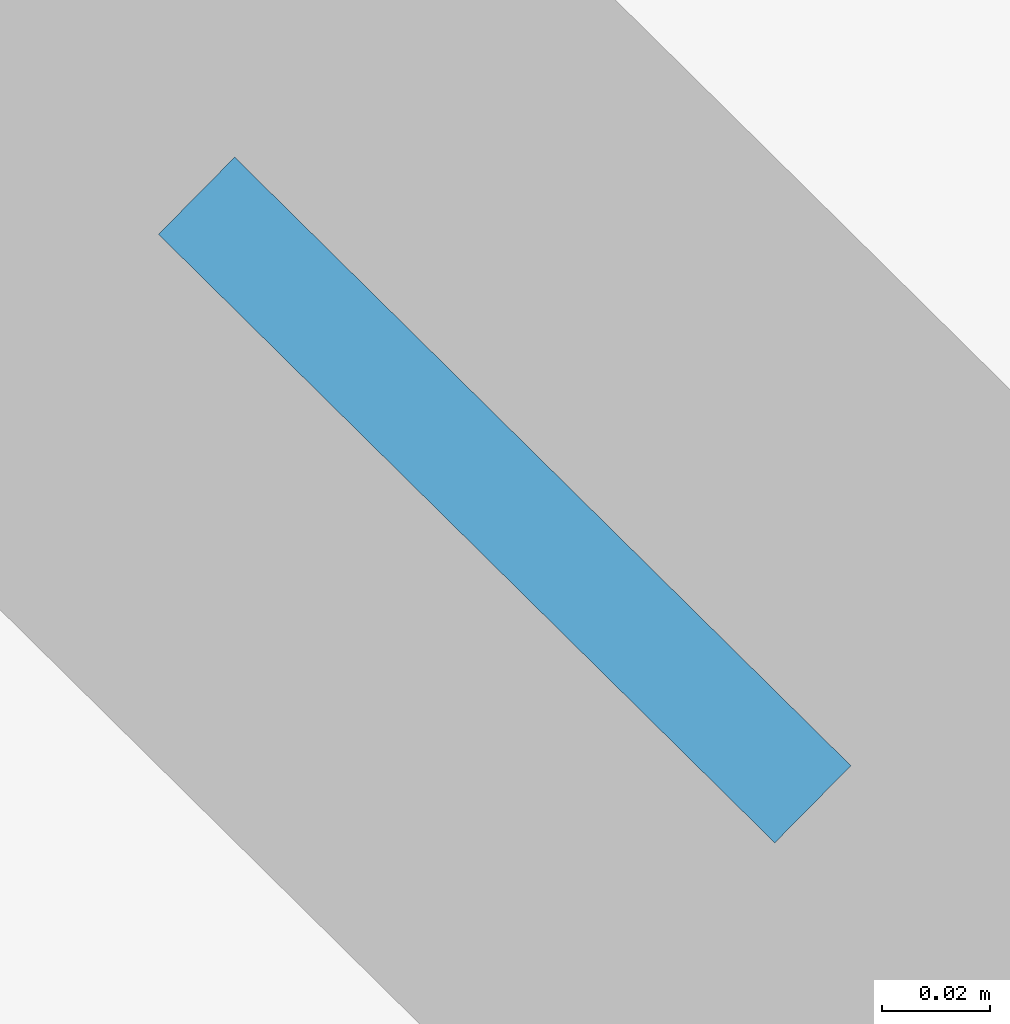
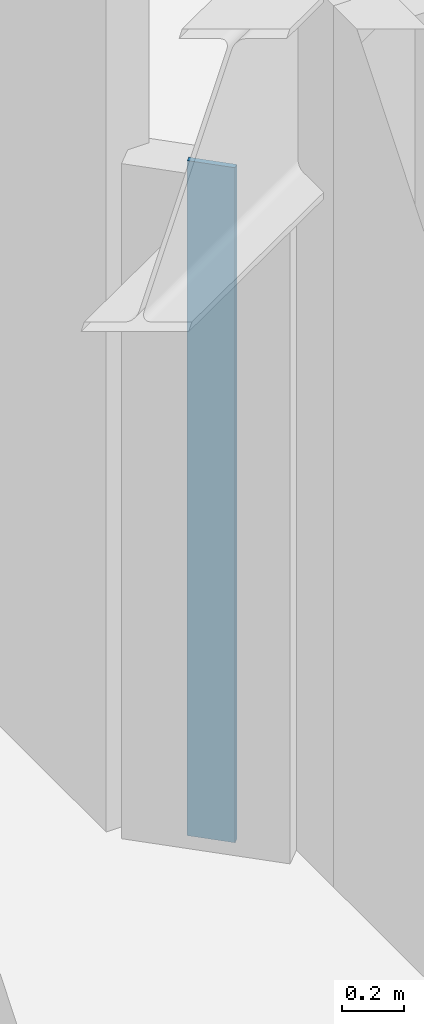
# One storey, part 4 of 10: 1 plate.
"""IFC4 building model written with IfcOpenShell, lengths in metres."""

from ifc_helpers import new_model, si_unit, direction, frame, origin, origin_2d, place, context, subcontext, project, spatial, rectangle, extrude, material, layer, layer_set, type_object, element, save


model = new_model("IFC4")

# Units and contexts
model_context = context("Model", 3, precision=1e-05, world=origin(), true_north=direction((0.0, 1.0)))
body_context = subcontext(model_context, "Body", "Model", "MODEL_VIEW")
ifc_project = project(units=[si_unit("LENGTHUNIT", "METRE"), si_unit("AREAUNIT", "SQUARE_METRE"), si_unit("VOLUMEUNIT", "CUBIC_METRE"), si_unit("PLANEANGLEUNIT", "RADIAN"), si_unit("MASSUNIT", "GRAM", prefix="KILO")], contexts=[model_context])

# Site, building, storey
site_placement = place(None, origin())
site = spatial("IfcSite", under=ifc_project, at=site_placement, CompositionType="ELEMENT")
building_placement = place(site_placement, origin())
building = spatial("IfcBuilding", under=site, at=building_placement, Name="Miruveldt Soraemaru", CompositionType="ELEMENT")
storey_placement = place(building_placement, frame((0.0, 0.0, 278.949951171875)))
storey = spatial("IfcBuildingStorey", under=building, at=storey_placement, Name="L76", CompositionType="ELEMENT", Elevation=278.949951171875)

# Plate
ifc_material = material(Name="Anodised aluminium EN AW-6063 T6", Category="aluminium")
ifc_layer = layer(ifc_material, 0.02001953125, Name="Anodised aluminium EN AW-6063 T6", Category="aluminium")
ifc_layer_set = layer_set([ifc_layer], Name="Anodised aluminium EN AW-6063 T6")
plate_type = type_object("IfcPlateType", Name="PLT-PART-TRIM", PredefinedType="SHEET", material=ifc_layer_set)
plate_placement = place(storey_placement, frame((35.14990234375, 52.857421875, 0.0), z_axis=(0.0, 0.0, 1.0), x_axis=(0.711535677209, -0.702649969799, 0.0)))
element("IfcPlate", 1, at=plate_placement, inside=storey, type_object=plate_type, Name="L76 Partition Step Corner Trim Plate 001", PredefinedType="SHEET", context=body_context, shape_type="SweptSolid", body=[
    extrude(rectangle(XDim=0.159912109375, YDim=0.02001953125, at=origin_2d()), origin(), (0.0, 0.0, 1.0), 2.657958984375),
])

save(model, "model.ifc")
